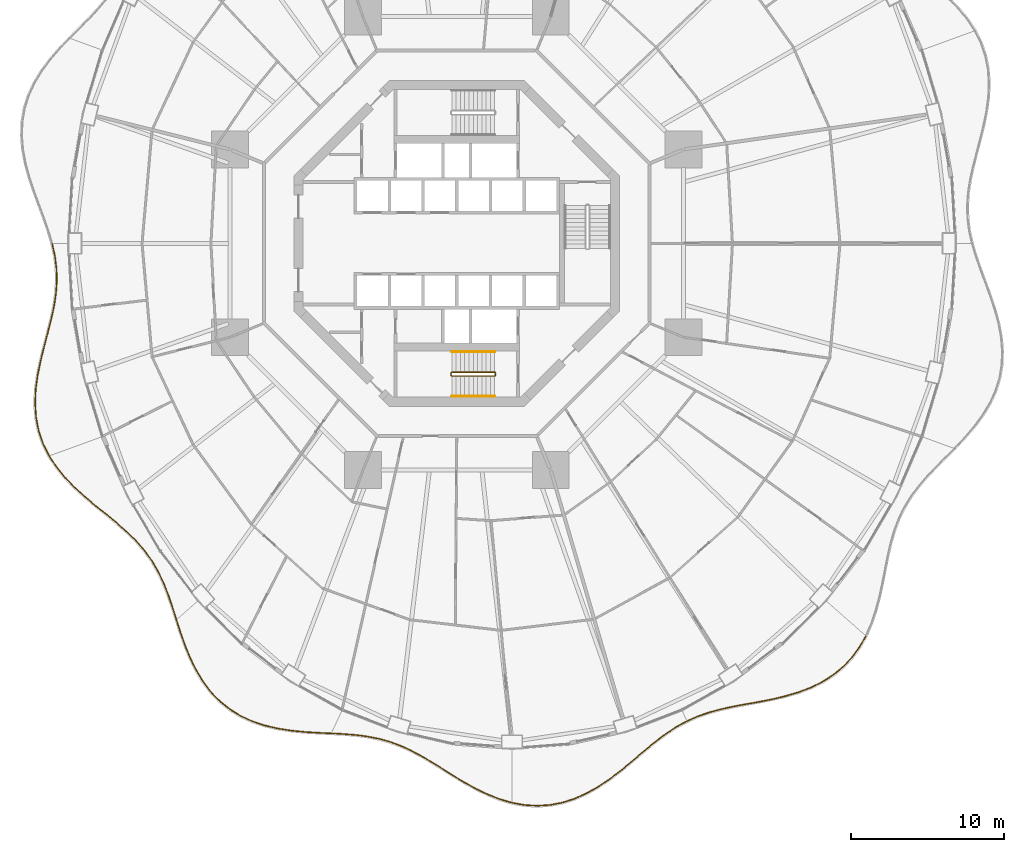
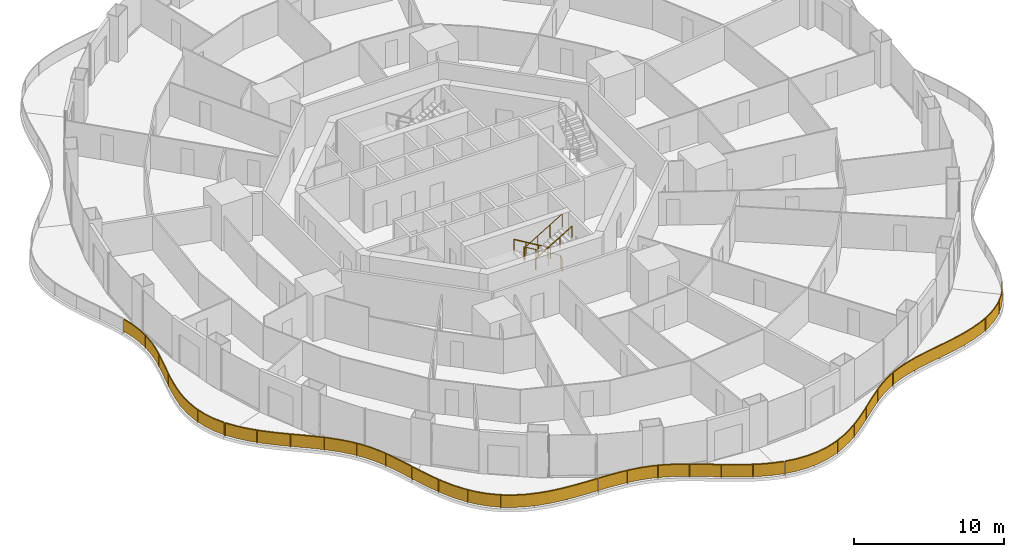
# One storey, part 20 of 22: 9 railings.
"""IFC4 building model written with IfcOpenShell, lengths in metres."""

from ifc_helpers import new_model, si_unit, direction, frame, origin, origin_2d, place, context, subcontext, project, spatial, polyline, rectangle, circle, outline, extrude, material, type_object, element, save


model = new_model("IFC4")

# Units and contexts
model_context = context("Model", 3, precision=1e-05, world=origin(), true_north=direction((0.0, 1.0)))
body_context = subcontext(model_context, "Body", "Model", "MODEL_VIEW")
ifc_project = project(units=[si_unit("LENGTHUNIT", "METRE"), si_unit("AREAUNIT", "SQUARE_METRE"), si_unit("VOLUMEUNIT", "CUBIC_METRE"), si_unit("PLANEANGLEUNIT", "RADIAN"), si_unit("MASSUNIT", "GRAM", prefix="KILO")], contexts=[model_context])

# Site, building, storey
site_placement = place(None, origin())
site = spatial("IfcSite", under=ifc_project, at=site_placement, CompositionType="ELEMENT")
building_placement = place(site_placement, origin())
building = spatial("IfcBuilding", under=site, at=building_placement, Name="Nagisa Residences", CompositionType="ELEMENT")
storey_placement = place(building_placement, frame((0.0, 0.0, 41.800048828125)))
storey = spatial("IfcBuildingStorey", under=building, at=storey_placement, Name="L09", CompositionType="ELEMENT", Elevation=41.800048828125)

# Railings
ifc_material_1 = material(Name="Stainless steel 316", Category="steel")
railing_type_1 = type_object("IfcRailingType", Name="BALCONY GUARD 1100", PredefinedType="BALUSTRADE", material=ifc_material_1)
railing_1_placement = place(storey_placement, frame((-26.3779296875, -0.034912109375, 0.0)))
element("IfcRailing", 1, at=railing_1_placement, inside=storey, type_object=railing_type_1, Name="guard:L09:bal08-0", PredefinedType="BALUSTRADE", context=body_context, shape_type="SweptSolid", body=[
    extrude(outline(polyline([(0.198486328125, -0.779052734375), (0.0244140625, 0.00537109375), (-0.0244140625, -0.00537109375), (0.149169921875, -0.787841796875), (0.25390625, -1.60693359375), (0.2763671875, -2.42822265625), (0.21875, -3.25830078125), (0.089111328125, -4.101806640625), (-0.099365234375, -4.94921875), (-0.3232421875, -5.830078125), (-0.560791015625, -6.7294921875), (-0.785888671875, -7.644287109375), (-0.972900390625, -8.569091796875), (-1.099853515625, -9.483154296875), (-1.139892578125, -10.404541015625), (-1.078857421875, -11.310546875), (-0.90625, -12.19140625), (-0.61865234375, -13.03857421875), (-0.238525390625, -13.802001953125), (-0.193603515625, -13.779541015625), (-0.572265625, -13.01904296875), (-0.85791015625, -12.1787109375), (-1.029052734375, -11.30419921875), (-1.089599609375, -10.404052734375), (-1.050048828125, -9.487548828125), (-0.923583984375, -8.577392578125), (-0.737060546875, -7.655029296875), (-0.512451171875, -6.74169921875), (-0.27490234375, -5.8427734375), (-0.050537109375, -4.9609375), (0.138427734375, -4.111083984375), (0.2685546875, -3.263671875), (0.32666015625, -2.42919921875), (0.3037109375, -1.60302734375), (0.198486328125, -0.779052734375)])), frame((0.0, 0.0, 1.050048828125)), (0.0, 0.0, 1.0), 0.050048828125),
    extrude(outline(polyline([(0.1806640625, -0.7822265625), (0.0068359375, 0.00146484375), (-0.0068359375, -0.00146484375), (0.1669921875, -0.78466796875), (0.271728515625, -1.60546875), (0.29443359375, -2.428466796875), (0.236572265625, -3.26025390625), (0.10693359375, -4.105224609375), (-0.081787109375, -4.953369140625), (-0.305908203125, -5.834716796875), (-0.54345703125, -6.73388671875), (-0.768310546875, -7.648193359375), (-0.955078125, -8.572021484375), (-1.08203125, -9.484619140625), (-1.121826171875, -10.404296875), (-1.060791015625, -11.308349609375), (-0.888916015625, -12.186767578125), (-0.60205078125, -13.031494140625), (-0.222412109375, -13.7939453125), (-0.209716796875, -13.78759765625), (-0.5888671875, -13.026123046875), (-0.875244140625, -12.183349609375), (-1.047119140625, -11.306396484375), (-1.107666015625, -10.404296875), (-1.06787109375, -9.486083984375), (-0.94140625, -8.574462890625), (-0.754638671875, -7.651123046875), (-0.52978515625, -6.7373046875), (-0.292236328125, -5.838134765625), (-0.068115234375, -4.956787109375), (0.12060546875, -4.107666015625), (0.250732421875, -3.26171875), (0.30859375, -2.428955078125), (0.285888671875, -1.6044921875), (0.1806640625, -0.7822265625)])), frame((0.0, 0.0, 0.06005859375)), (0.0, 0.0, 1.0), 0.989990234375),
    extrude(rectangle(XDim=0.0400390625, YDim=0.0400390625, at=origin_2d()), origin(), (0.0, 0.0, 1.0), 1.050048828125),
    extrude(rectangle(XDim=0.0400390625, YDim=0.0400390625, at=origin_2d()), frame((0.298828125, -2.3271484375, 0.0)), (0.0, 0.0, 1.0), 1.050048828125),
    extrude(rectangle(XDim=0.0400390625, YDim=0.0400390625, at=origin_2d()), frame((-0.00830078125, -4.655029296875, 0.0)), (0.0, 0.0, 1.0), 1.050048828125),
    extrude(rectangle(XDim=0.0400390625, YDim=0.0400390625, at=origin_2d()), frame((-0.5859375, -6.93603515625, 0.0)), (0.0, 0.0, 1.0), 1.050048828125),
    extrude(rectangle(XDim=0.0400390625, YDim=0.0400390625, at=origin_2d()), frame((-1.041259765625, -9.242919921875, 0.0)), (0.0, 0.0, 1.0), 1.050048828125),
    extrude(rectangle(XDim=0.0400390625, YDim=0.0400390625, at=origin_2d()), frame((-0.99951171875, -11.58544921875, 0.0)), (0.0, 0.0, 1.0), 1.050048828125),
    extrude(rectangle(XDim=0.0400390625, YDim=0.0400390625, at=origin_2d()), frame((-0.216064453125, -13.790771484375, 0.0)), (0.0, 0.0, 1.0), 1.050048828125),
])
railing_2_placement = place(storey_placement, frame((-26.55517578125, -13.892578125, 0.0)))
element("IfcRailing", 2, at=railing_2_placement, inside=storey, type_object=railing_type_1, Name="guard:L09:bal09-0", PredefinedType="BALUSTRADE", context=body_context, shape_type="SweptSolid", body=[
    extrude(outline(polyline([(0.48095703125, -0.6826171875), (0.02099609375, 0.013671875), (-0.02099609375, -0.013671875), (0.4404296875, -0.71240234375), (1.010009765625, -1.407470703125), (1.644775390625, -2.061767578125), (2.32373046875, -2.67919921875), (3.025146484375, -3.267822265625), (3.72021484375, -3.824462890625), (4.40185546875, -4.38623046875), (5.04541015625, -4.95263671875), (5.6376953125, -5.53564453125), (6.169921875, -6.146240234375), (6.630126953125, -6.781005859375), (7.03759765625, -7.471435546875), (7.390869140625, -8.2080078125), (7.701171875, -8.989501953125), (7.984130859375, -9.810546875), (8.241455078125, -10.619873046875), (8.289306640625, -10.604736328125), (8.031494140625, -9.794921875), (7.748046875, -8.971923828125), (7.436767578125, -8.18798828125), (7.08203125, -7.447998046875), (6.672119140625, -6.753662109375), (6.208984375, -6.114990234375), (5.67431640625, -5.50146484375), (5.07958984375, -4.916015625), (4.43408203125, -4.34814453125), (3.751953125, -3.785400390625), (3.056884765625, -3.229248046875), (2.3564453125, -2.6416015625), (1.679443359375, -2.025634765625), (1.047607421875, -1.374267578125), (0.48095703125, -0.6826171875)])), frame((0.0, 0.0, 1.050048828125)), (0.0, 0.0, 1.0), 0.050048828125),
    extrude(outline(polyline([(0.46630859375, -0.693359375), (0.005859375, 0.00390625), (-0.005859375, -0.00390625), (0.455078125, -0.70166015625), (1.023681640625, -1.3955078125), (1.6572265625, -2.048828125), (2.33544921875, -2.665771484375), (3.03662109375, -3.25390625), (3.731689453125, -3.810302734375), (4.413330078125, -4.37255859375), (5.0576171875, -4.939453125), (5.65087890625, -5.5234375), (6.18408203125, -6.135009765625), (6.645263671875, -6.771240234375), (7.0537109375, -7.463134765625), (7.407470703125, -8.200927734375), (7.718017578125, -8.983154296875), (8.001220703125, -9.804931640625), (8.2587890625, -10.614501953125), (8.27197265625, -10.610107421875), (8.014404296875, -9.800537109375), (7.731201171875, -8.978271484375), (7.420166015625, -8.195068359375), (7.06591796875, -7.456298828125), (6.656982421875, -6.763427734375), (6.19482421875, -6.126220703125), (5.6611328125, -5.513671875), (5.0673828125, -4.92919921875), (4.422607421875, -4.36181640625), (3.740478515625, -3.799560546875), (3.04541015625, -3.2431640625), (2.3447265625, -2.655029296875), (1.6669921875, -2.03857421875), (1.033935546875, -1.38623046875), (0.46630859375, -0.693359375)])), frame((0.0, 0.0, 0.06005859375)), (0.0, 0.0, 1.0), 0.989990234375),
    extrude(rectangle(XDim=0.0400390625, YDim=0.0400390625, at=origin_2d()), origin(), (0.0, 0.0, 1.0), 1.050048828125),
    extrude(rectangle(XDim=0.0400390625, YDim=0.0400390625, at=origin_2d()), frame((1.4150390625, -1.788818359375, 0.0)), (0.0, 0.0, 1.0), 1.050048828125),
    extrude(rectangle(XDim=0.0400390625, YDim=0.0400390625, at=origin_2d()), frame((3.119384765625, -3.311279296875, 0.0)), (0.0, 0.0, 1.0), 1.050048828125),
    extrude(rectangle(XDim=0.0400390625, YDim=0.0400390625, at=origin_2d()), frame((4.878173828125, -4.772216796875, 0.0)), (0.0, 0.0, 1.0), 1.050048828125),
    extrude(rectangle(XDim=0.0400390625, YDim=0.0400390625, at=origin_2d()), frame((6.42236328125, -6.45166015625, 0.0)), (0.0, 0.0, 1.0), 1.050048828125),
    extrude(rectangle(XDim=0.0400390625, YDim=0.0400390625, at=origin_2d()), frame((7.51513671875, -8.452880859375, 0.0)), (0.0, 0.0, 1.0), 1.050048828125),
    extrude(rectangle(XDim=0.0400390625, YDim=0.0400390625, at=origin_2d()), frame((8.265380859375, -10.6123046875, 0.0)), (0.0, 0.0, 1.0), 1.050048828125),
])
railing_3_placement = place(storey_placement, frame((-18.268310546875, -24.57763671875, 0.0)))
element("IfcRailing", 3, at=railing_3_placement, inside=storey, type_object=railing_type_1, Name="guard:L09:bal10-0", PredefinedType="BALUSTRADE", context=body_context, shape_type="SweptSolid", body=[
    extrude(outline(polyline([(0.275634765625, -0.777587890625), (0.02392578125, 0.007568359375), (-0.02392578125, -0.007568359375), (0.228271484375, -0.793701171875), (0.5205078125, -1.623779296875), (0.851806640625, -2.441650390625), (1.235595703125, -3.230224609375), (1.680908203125, -3.974365234375), (2.1826171875, -4.649169921875), (2.767578125, -5.263671875), (3.42236328125, -5.7978515625), (4.141845703125, -6.245849609375), (4.918212890625, -6.607421875), (5.7275390625, -6.876953125), (6.582275390625, -7.078125), (7.458740234375, -7.215576171875), (8.3427734375, -7.303466796875), (9.22265625, -7.358642578125), (10.04296875, -7.3955078125), (10.04541015625, -7.345703125), (9.2255859375, -7.308837890625), (8.3466796875, -7.253662109375), (7.465087890625, -7.165771484375), (6.592041015625, -7.02880859375), (5.7412109375, -6.82861328125), (4.936767578125, -6.56103515625), (4.165771484375, -6.201904296875), (3.45166015625, -5.7568359375), (2.8017578125, -5.22705078125), (2.22119140625, -4.616943359375), (1.722412109375, -3.946533203125), (1.279541015625, -3.206298828125), (0.897705078125, -2.421142578125), (0.5673828125, -1.606201171875), (0.275634765625, -0.777587890625)])), frame((0.0, 0.0, 1.050048828125)), (0.0, 0.0, 1.0), 0.050048828125),
    extrude(outline(polyline([(0.258544921875, -0.783447265625), (0.006591796875, 0.002197265625), (-0.006591796875, -0.002197265625), (0.245361328125, -0.787841796875), (0.537353515625, -1.617431640625), (0.868408203125, -2.434326171875), (1.25146484375, -3.2216796875), (1.69580078125, -3.96435546875), (2.196533203125, -4.6376953125), (2.77978515625, -5.25048828125), (3.432861328125, -5.782958984375), (4.150390625, -6.22998046875), (4.9248046875, -6.5908203125), (5.732421875, -6.859619140625), (6.585693359375, -7.060302734375), (7.4609375, -7.197509765625), (8.34423828125, -7.28564453125), (9.2236328125, -7.3408203125), (10.0439453125, -7.377685546875), (10.04443359375, -7.363525390625), (9.224609375, -7.32666015625), (8.34521484375, -7.271484375), (7.462890625, -7.183837890625), (6.588623046875, -7.046630859375), (5.736328125, -6.845947265625), (4.93017578125, -6.57763671875), (4.1572265625, -6.2177734375), (3.441162109375, -5.771728515625), (2.78955078125, -5.240234375), (2.207275390625, -4.62841796875), (1.70751953125, -3.95654296875), (1.263671875, -3.21484375), (0.881103515625, -2.428466796875), (0.550537109375, -1.612548828125), (0.258544921875, -0.783447265625)])), frame((0.0, 0.0, 0.06005859375)), (0.0, 0.0, 1.0), 0.989990234375),
    extrude(rectangle(XDim=0.0400390625, YDim=0.0400390625, at=origin_2d()), origin(), (0.0, 0.0, 1.0), 1.050048828125),
    extrude(rectangle(XDim=0.0400390625, YDim=0.0400390625, at=origin_2d()), frame((0.764404296875, -2.1591796875, 0.0)), (0.0, 0.0, 1.0), 1.050048828125),
    extrude(rectangle(XDim=0.0400390625, YDim=0.0400390625, at=origin_2d()), frame((1.855712890625, -4.16748046875, 0.0)), (0.0, 0.0, 1.0), 1.050048828125),
    extrude(rectangle(XDim=0.0400390625, YDim=0.0400390625, at=origin_2d()), frame((3.457763671875, -5.790283203125, 0.0)), (0.0, 0.0, 1.0), 1.050048828125),
    extrude(rectangle(XDim=0.0400390625, YDim=0.0400390625, at=origin_2d()), frame((5.513916015625, -6.779296875, 0.0)), (0.0, 0.0, 1.0), 1.050048828125),
    extrude(rectangle(XDim=0.0400390625, YDim=0.0400390625, at=origin_2d()), frame((7.758056640625, -7.22021484375, 0.0)), (0.0, 0.0, 1.0), 1.050048828125),
    extrude(rectangle(XDim=0.0400390625, YDim=0.0400390625, at=origin_2d()), frame((10.044189453125, -7.37060546875, 0.0)), (0.0, 0.0, 1.0), 1.050048828125),
])
railing_4_placement = place(storey_placement, frame((-8.14892578125, -31.9501953125, 0.0)))
element("IfcRailing", 4, at=railing_4_placement, inside=storey, type_object=railing_type_1, Name="guard:L09:bal11-0", PredefinedType="BALUSTRADE", context=body_context, shape_type="SweptSolid", body=[
    extrude(outline(polyline([(0.77001953125, -0.0146484375), (0.001220703125, 0.02490234375), (-0.001220703125, -0.02490234375), (0.7666015625, -0.064453125), (1.554931640625, -0.12890625), (2.31689453125, -0.2275390625), (3.052490234375, -0.371337890625), (3.765380859375, -0.56787109375), (4.44384765625, -0.816162109375), (5.128173828125, -1.12548828125), (5.80859375, -1.486083984375), (6.49267578125, -1.88916015625), (7.186767578125, -2.3212890625), (7.8798828125, -2.76416015625), (8.611083984375, -3.205322265625), (9.36474609375, -3.62255859375), (10.14111328125, -3.9970703125), (10.938232421875, -4.310791015625), (11.704833984375, -4.5361328125), (11.718994140625, -4.48828125), (10.954345703125, -4.263427734375), (10.1611328125, -3.951171875), (9.3876953125, -3.578125), (8.635986328125, -3.161865234375), (7.90625, -2.7216796875), (7.213623046875, -2.27880859375), (6.5185546875, -1.84619140625), (5.8330078125, -1.442626953125), (5.150146484375, -1.08056640625), (4.462890625, -0.769775390625), (3.780517578125, -0.52001953125), (3.063720703125, -0.322509765625), (2.32470703125, -0.17822265625), (1.560302734375, -0.0791015625), (0.77001953125, -0.0146484375)])), frame((0.0, 0.0, 1.050048828125)), (0.0, 0.0, 1.0), 0.050048828125),
    extrude(outline(polyline([(0.768798828125, -0.032470703125), (0.000244140625, 0.007080078125), (-0.000244140625, -0.007080078125), (0.767822265625, -0.046630859375), (1.556884765625, -0.111083984375), (2.319580078125, -0.209716796875), (3.056396484375, -0.353759765625), (3.770751953125, -0.550537109375), (4.45068359375, -0.799560546875), (5.135986328125, -1.109375), (5.8173828125, -1.470458984375), (6.501953125, -1.873779296875), (7.196533203125, -2.305908203125), (7.889404296875, -2.748779296875), (8.6201171875, -3.189697265625), (9.373046875, -3.6064453125), (10.1484375, -3.98046875), (10.944091796875, -4.293701171875), (11.7099609375, -4.51904296875), (11.7138671875, -4.50537109375), (10.948486328125, -4.280517578125), (10.15380859375, -3.9677734375), (9.37939453125, -3.59423828125), (8.626953125, -3.177490234375), (7.896728515625, -2.737060546875), (7.203857421875, -2.294189453125), (6.50927734375, -1.861572265625), (5.82421875, -1.458251953125), (5.142333984375, -1.0966796875), (4.4560546875, -0.786376953125), (3.775146484375, -0.537353515625), (3.059814453125, -0.340087890625), (2.322021484375, -0.196044921875), (1.558349609375, -0.096923828125), (0.768798828125, -0.032470703125)])), frame((0.0, 0.0, 0.06005859375)), (0.0, 0.0, 1.0), 0.989990234375),
    extrude(rectangle(XDim=0.0400390625, YDim=0.0400390625, at=origin_2d()), origin(), (0.0, 0.0, 1.0), 1.050048828125),
    extrude(rectangle(XDim=0.0400390625, YDim=0.0400390625, at=origin_2d()), frame((2.114013671875, -0.176025390625, 0.0)), (0.0, 0.0, 1.0), 1.050048828125),
    extrude(rectangle(XDim=0.0400390625, YDim=0.0400390625, at=origin_2d()), frame((4.16845703125, -0.688720703125, 0.0)), (0.0, 0.0, 1.0), 1.050048828125),
    extrude(rectangle(XDim=0.0400390625, YDim=0.0400390625, at=origin_2d()), frame((6.07470703125, -1.614013671875, 0.0)), (0.0, 0.0, 1.0), 1.050048828125),
    extrude(rectangle(XDim=0.0400390625, YDim=0.0400390625, at=origin_2d()), frame((7.877685546875, -2.733154296875, 0.0)), (0.0, 0.0, 1.0), 1.050048828125),
    extrude(rectangle(XDim=0.0400390625, YDim=0.0400390625, at=origin_2d()), frame((9.72802734375, -3.77001953125, 0.0)), (0.0, 0.0, 1.0), 1.050048828125),
    extrude(rectangle(XDim=0.0400390625, YDim=0.0400390625, at=origin_2d()), frame((11.7119140625, -4.51220703125, 0.0)), (0.0, 0.0, 1.0), 1.050048828125),
])
railing_5_placement = place(storey_placement, frame((3.637939453125, -36.480712890625, 0.0)))
element("IfcRailing", 5, at=railing_5_placement, inside=storey, type_object=railing_type_1, Name="guard:L09:bal12-0", PredefinedType="BALUSTRADE", context=body_context, shape_type="SweptSolid", body=[
    extrude(outline(polyline([(0.778564453125, -0.11572265625), (0.00439453125, 0.024658203125), (-0.00439453125, -0.024658203125), (0.772705078125, -0.16552734375), (1.60205078125, -0.215576171875), (2.42822265625, -0.162841796875), (3.24365234375, -0.0078125), (4.04052734375, 0.244384765625), (4.798095703125, 0.582275390625), (5.544921875, 0.99755859375), (6.2626953125, 1.472412109375), (6.95166015625, 1.98828125), (7.61474609375, 2.52685546875), (8.23974609375, 3.06396484375), (8.86669921875, 3.592529296875), (9.487060546875, 4.091796875), (10.108642578125, 4.550048828125), (10.740478515625, 4.958251953125), (11.353515625, 5.29248046875), (11.32958984375, 5.33642578125), (10.715087890625, 5.001220703125), (10.080322265625, 4.591064453125), (9.456298828125, 4.13134765625), (8.8349609375, 3.631103515625), (8.20751953125, 3.10205078125), (7.58251953125, 2.5654296875), (6.9208984375, 2.02783203125), (6.23388671875, 1.513427734375), (5.51904296875, 1.04052734375), (4.775634765625, 0.627197265625), (4.02294921875, 0.291259765625), (3.2314453125, 0.041015625), (2.421875, -0.113037109375), (1.60205078125, -0.165283203125), (0.778564453125, -0.11572265625)])), frame((0.0, 0.0, 1.050048828125)), (0.0, 0.0, 1.0), 0.050048828125),
    extrude(outline(polyline([(0.7763671875, -0.133544921875), (0.001220703125, 0.0068359375), (-0.001220703125, -0.0068359375), (0.77490234375, -0.147705078125), (1.60205078125, -0.197509765625), (2.426025390625, -0.14501953125), (3.2392578125, 0.009765625), (4.0341796875, 0.26123046875), (4.7900390625, 0.598388671875), (5.53564453125, 1.012939453125), (6.25244140625, 1.4873046875), (6.940673828125, 2.00244140625), (7.60302734375, 2.540771484375), (8.228271484375, 3.07763671875), (8.855224609375, 3.6064453125), (9.47607421875, 4.10595703125), (10.098388671875, 4.564697265625), (10.7314453125, 4.9736328125), (11.344970703125, 5.308349609375), (11.338134765625, 5.320556640625), (10.72412109375, 4.98583984375), (10.090576171875, 4.576416015625), (9.46728515625, 4.1171875), (8.846435546875, 3.6171875), (8.218994140625, 3.08837890625), (7.59423828125, 2.551513671875), (6.931884765625, 2.013671875), (6.244140625, 1.49853515625), (5.5283203125, 1.025146484375), (4.78369140625, 0.611083984375), (4.029296875, 0.2744140625), (3.23583984375, 0.0234375), (2.424072265625, -0.130859375), (1.60205078125, -0.183349609375), (0.7763671875, -0.133544921875)])), frame((0.0, 0.0, 0.06005859375)), (0.0, 0.0, 1.0), 0.989990234375),
    extrude(rectangle(XDim=0.0400390625, YDim=0.0400390625, at=origin_2d()), origin(), (0.0, 0.0, 1.0), 1.050048828125),
    extrude(rectangle(XDim=0.0400390625, YDim=0.0400390625, at=origin_2d()), frame((2.15478515625, -0.1552734375, 0.0)), (0.0, 0.0, 1.0), 1.050048828125),
    extrude(rectangle(XDim=0.0400390625, YDim=0.0400390625, at=origin_2d()), frame((4.25, 0.365234375, 0.0)), (0.0, 0.0, 1.0), 1.050048828125),
    extrude(rectangle(XDim=0.0400390625, YDim=0.0400390625, at=origin_2d()), frame((6.140625, 1.421630859375, 0.0)), (0.0, 0.0, 1.0), 1.050048828125),
    extrude(rectangle(XDim=0.0400390625, YDim=0.0400390625, at=origin_2d()), frame((7.847412109375, 2.759765625, 0.0)), (0.0, 0.0, 1.0), 1.050048828125),
    extrude(rectangle(XDim=0.0400390625, YDim=0.0400390625, at=origin_2d()), frame((9.517333984375, 4.145263671875, 0.0)), (0.0, 0.0, 1.0), 1.050048828125),
    extrude(rectangle(XDim=0.0400390625, YDim=0.0400390625, at=origin_2d()), frame((11.341552734375, 5.314453125, 0.0)), (0.0, 0.0, 1.0), 1.050048828125),
])
railing_6_placement = place(storey_placement, frame((15.041015625, -31.1357421875, 0.0)))
element("IfcRailing", 6, at=railing_6_placement, inside=storey, type_object=railing_type_1, Name="guard:L09:bal13-0", PredefinedType="BALUSTRADE", context=body_context, shape_type="SweptSolid", body=[
    extrude(outline(polyline([(0.654052734375, 0.316162109375), (-0.010009765625, 0.02294921875), (0.010009765625, -0.02294921875), (0.672607421875, 0.269775390625), (1.405029296875, 0.524658203125), (2.171875, 0.73388671875), (2.971923828125, 0.909423828125), (3.801513671875, 1.06591796875), (4.639404296875, 1.211181640625), (5.502685546875, 1.381103515625), (6.364990234375, 1.583251953125), (7.212646484375, 1.832763671875), (8.031005859375, 2.14306640625), (8.793701171875, 2.5126953125), (9.512451171875, 2.9697265625), (10.1640625, 3.504638671875), (10.741455078125, 4.115478515625), (11.240234375, 4.79638671875), (11.636474609375, 5.498046875), (11.593017578125, 5.5224609375), (11.1982421875, 4.82373046875), (10.702880859375, 4.147705078125), (10.1298828125, 3.541259765625), (9.483154296875, 3.01025390625), (8.769287109375, 2.556640625), (8.010986328125, 2.18896484375), (7.196533203125, 1.880126953125), (6.352294921875, 1.631591796875), (5.491943359375, 1.429931640625), (4.630126953125, 1.260498046875), (3.792724609375, 1.115234375), (2.962158203125, 0.958251953125), (2.16015625, 0.78271484375), (1.390380859375, 0.572509765625), (0.654052734375, 0.316162109375)])), frame((0.0, 0.0, 1.050048828125)), (0.0, 0.0, 1.0), 0.050048828125),
    extrude(outline(polyline([(0.66064453125, 0.299560546875), (-0.0029296875, 0.00634765625), (0.0029296875, -0.00634765625), (0.666015625, 0.286376953125), (1.399658203125, 0.5419921875), (2.167724609375, 0.75146484375), (2.968505859375, 0.927001953125), (3.79833984375, 1.083740234375), (4.635986328125, 1.22900390625), (5.498779296875, 1.398681640625), (6.3603515625, 1.6005859375), (7.206787109375, 1.849853515625), (8.023681640625, 2.15966796875), (8.784912109375, 2.528564453125), (9.501953125, 2.984375), (10.15185546875, 3.517822265625), (10.7275390625, 4.127197265625), (11.22509765625, 4.80615234375), (11.620849609375, 5.5068359375), (11.608642578125, 5.513671875), (11.21337890625, 4.81396484375), (10.716796875, 4.135986328125), (10.14208984375, 3.528076171875), (9.49365234375, 2.99560546875), (8.778076171875, 2.540771484375), (8.018310546875, 2.17236328125), (7.202392578125, 1.863037109375), (6.35693359375, 1.6142578125), (5.495849609375, 1.412353515625), (4.633544921875, 1.24267578125), (3.7958984375, 1.097412109375), (2.965576171875, 0.940673828125), (2.164306640625, 0.76513671875), (1.395751953125, 0.55517578125), (0.66064453125, 0.299560546875)])), frame((0.0, 0.0, 0.06005859375)), (0.0, 0.0, 1.0), 0.989990234375),
    extrude(rectangle(XDim=0.0400390625, YDim=0.0400390625, at=origin_2d()), origin(), (0.0, 0.0, 1.0), 1.050048828125),
    extrude(rectangle(XDim=0.0400390625, YDim=0.0400390625, at=origin_2d()), frame((2.094482421875, 0.73876953125, 0.0)), (0.0, 0.0, 1.0), 1.050048828125),
    extrude(rectangle(XDim=0.0400390625, YDim=0.0400390625, at=origin_2d()), frame((4.27587890625, 1.173583984375, 0.0)), (0.0, 0.0, 1.0), 1.050048828125),
    extrude(rectangle(XDim=0.0400390625, YDim=0.0400390625, at=origin_2d()), frame((6.451416015625, 1.634765625, 0.0)), (0.0, 0.0, 1.0), 1.050048828125),
    extrude(rectangle(XDim=0.0400390625, YDim=0.0400390625, at=origin_2d()), frame((8.531005859375, 2.413330078125, 0.0)), (0.0, 0.0, 1.0), 1.050048828125),
    extrude(rectangle(XDim=0.0400390625, YDim=0.0400390625, at=origin_2d()), frame((10.323974609375, 3.710205078125, 0.0)), (0.0, 0.0, 1.0), 1.050048828125),
    extrude(rectangle(XDim=0.0400390625, YDim=0.0400390625, at=origin_2d()), frame((11.61474609375, 5.51025390625, 0.0)), (0.0, 0.0, 1.0), 1.050048828125),
])
ifc_material_2 = material(Name="Stainless steel", Category="steel")
railing_type_2 = type_object("IfcRailingType", Name="Stair guard 1100", PredefinedType="GUARDRAIL", material=ifc_material_2)
railing_7_placement = place(storey_placement, frame((2.52490234375, -8.599609375, 0.0)))
element("IfcRailing", 7, at=railing_7_placement, inside=storey, type_object=railing_type_2, Name="L09 ST-S stair guard 1", PredefinedType="GUARDRAIL", context=body_context, shape_type="SweptSolid", body=[
    extrude(circle(Radius=0.02392578125, at=origin_2d()), frame((0.0, 0.0, 1.076171875), z_axis=(0.0, 1.0, 0.0), x_axis=(-1.0, 0.0, 0.0)), (0.0, 0.0, 1.0), 0.14990234375),
    extrude(circle(Radius=0.02392578125, at=origin_2d()), frame((0.0, 0.14990234375, 1.076171875), z_axis=(-0.273006030465, 0.27434429532, 0.922064485248), x_axis=(-0.708833529934, -0.705375805398, 0.0)), (0.0, 0.0, 1.0), 0.182373046875),
    extrude(circle(Radius=0.02392578125, at=origin_2d()), frame((-0.0498046875, 0.199951171875, 1.244140625), z_axis=(-0.857275202839, 0.0, 0.514858452973), x_axis=(0.0, -1.0, 0.0)), (0.0, 0.0, 1.0), 3.26611328125),
    extrude(circle(Radius=0.02392578125, at=origin_2d()), frame((-2.849853515625, 0.199951171875, 2.92578125), z_axis=(-0.707106781187, -0.707106781187, 0.0), x_axis=(0.707106781187, -0.707106781187, 0.0)), (0.0, 0.0, 1.0), 0.07080078125),
    extrude(circle(Radius=0.02392578125, at=origin_2d()), frame((-2.89990234375, 0.14990234375, 2.92578125), z_axis=(0.0, -1.0, 0.0), x_axis=(1.0, 0.0, 0.0)), (0.0, 0.0, 1.0), 0.14990234375),
    extrude(circle(Radius=0.02392578125, at=origin_2d()), frame((-2.89990234375, 0.0, 2.92578125), z_axis=(0.274243871929, -0.274243871929, 0.92172696468), x_axis=(0.707106781187, 0.707106781187, 0.0)), (0.0, 0.0, 1.0), 0.1826171875),
    extrude(circle(Radius=0.02392578125, at=origin_2d()), frame((-2.849853515625, -0.050048828125, 3.09423828125), z_axis=(0.857242210791, 0.0, 0.514913383045), x_axis=(0.0, 1.0, 0.0)), (0.0, 0.0, 1.0), 3.266357421875),
    extrude(circle(Radius=0.02099609375, at=origin_2d()), origin(), (0.0, 0.0, 1.0), 1.052001953125),
    extrude(circle(Radius=0.02099609375, at=origin_2d()), frame((0.0, 0.14990234375, 0.0)), (0.0, 0.0, 1.0), 1.052001953125),
    extrude(circle(Radius=0.02099609375, at=origin_2d()), frame((-0.0498046875, 0.199951171875, 0.168212890625)), (0.0, 0.0, 1.0), 1.052001953125),
    extrude(circle(Radius=0.02099609375, at=origin_2d()), frame((-0.983154296875, 0.199951171875, 0.728759765625)), (0.0, 0.0, 1.0), 1.052001953125),
    extrude(circle(Radius=0.02099609375, at=origin_2d()), frame((-1.91650390625, 0.199951171875, 1.289306640625)), (0.0, 0.0, 1.0), 1.052001953125),
    extrude(circle(Radius=0.02099609375, at=origin_2d()), frame((-2.849853515625, 0.199951171875, 1.849853515625)), (0.0, 0.0, 1.0), 1.052001953125),
    extrude(circle(Radius=0.02099609375, at=origin_2d()), frame((-2.89990234375, 0.14990234375, 1.849853515625)), (0.0, 0.0, 1.0), 1.052001953125),
    extrude(circle(Radius=0.02099609375, at=origin_2d()), frame((-2.89990234375, 0.0, 1.849853515625)), (0.0, 0.0, 1.0), 1.052001953125),
    extrude(circle(Radius=0.02099609375, at=origin_2d()), frame((-2.849853515625, -0.050048828125, 2.01806640625)), (0.0, 0.0, 1.0), 1.052001953125),
    extrude(circle(Radius=0.02099609375, at=origin_2d()), frame((-1.91650390625, -0.050048828125, 2.57861328125)), (0.0, 0.0, 1.0), 1.052001953125),
    extrude(circle(Radius=0.02099609375, at=origin_2d()), frame((-0.983154296875, -0.050048828125, 3.139404296875)), (0.0, 0.0, 1.0), 1.052001953125),
    extrude(circle(Radius=0.02099609375, at=origin_2d()), frame((-0.0498046875, -0.050048828125, 3.699951171875)), (0.0, 0.0, 1.0), 1.052001953125),
])
ifc_material_3 = material(Name="Stainless steel", Category="steel")
railing_type_3 = type_object("IfcRailingType", Name="Stair handrail 900", PredefinedType="HANDRAIL", material=ifc_material_3)
railing_8_placement = place(storey_placement, frame((2.47509765625, -7.07470703125, 0.168212890625)))
element("IfcRailing", 8, at=railing_8_placement, inside=storey, type_object=railing_type_3, Name="L09 ST-S stair handrail 1", PredefinedType="HANDRAIL", context=body_context, shape_type="SweptSolid", body=[
    extrude(circle(Radius=0.02392578125, at=origin_2d()), frame((0.0, 0.0, 0.8759765625), z_axis=(-0.857275202839, 0.0, 0.514858452973), x_axis=(0.0, -1.0, 0.0)), (0.0, 0.0, 1.0), 3.26611328125),
    extrude(circle(Radius=0.02099609375, at=origin_2d()), origin(), (0.0, 0.0, 1.0), 0.851806640625),
    extrude(circle(Radius=0.02099609375, at=origin_2d()), frame((-0.933349609375, 0.0, 0.560546875)), (0.0, 0.0, 1.0), 0.851806640625),
    extrude(circle(Radius=0.02099609375, at=origin_2d()), frame((-1.86669921875, 0.0, 1.12109375)), (0.0, 0.0, 1.0), 0.851806640625),
    extrude(circle(Radius=0.02099609375, at=origin_2d()), frame((-2.800048828125, 0.0, 1.681640625)), (0.0, 0.0, 1.0), 0.851806640625),
])
railing_9_placement = place(storey_placement, frame((-0.324951171875, -9.974609375, 2.01806640625)))
element("IfcRailing", 9, at=railing_9_placement, inside=storey, type_object=railing_type_3, Name="L09 ST-S stair handrail 2", PredefinedType="HANDRAIL", context=body_context, shape_type="SweptSolid", body=[
    extrude(circle(Radius=0.02392578125, at=origin_2d()), frame((0.0, 0.0, 0.8759765625), z_axis=(0.857242210791, 0.0, 0.514913383045), x_axis=(0.0, 1.0, 0.0)), (0.0, 0.0, 1.0), 3.266357421875),
    extrude(circle(Radius=0.02099609375, at=origin_2d()), origin(), (0.0, 0.0, 1.0), 0.851806640625),
    extrude(circle(Radius=0.02099609375, at=origin_2d()), frame((0.933349609375, 0.0, 0.560546875)), (0.0, 0.0, 1.0), 0.851806640625),
    extrude(circle(Radius=0.02099609375, at=origin_2d()), frame((1.86669921875, 0.0, 1.121337890625)), (0.0, 0.0, 1.0), 0.851806640625),
    extrude(circle(Radius=0.02099609375, at=origin_2d()), frame((2.800048828125, 0.0, 1.681884765625)), (0.0, 0.0, 1.0), 0.851806640625),
])

save(model, "model.ifc")
